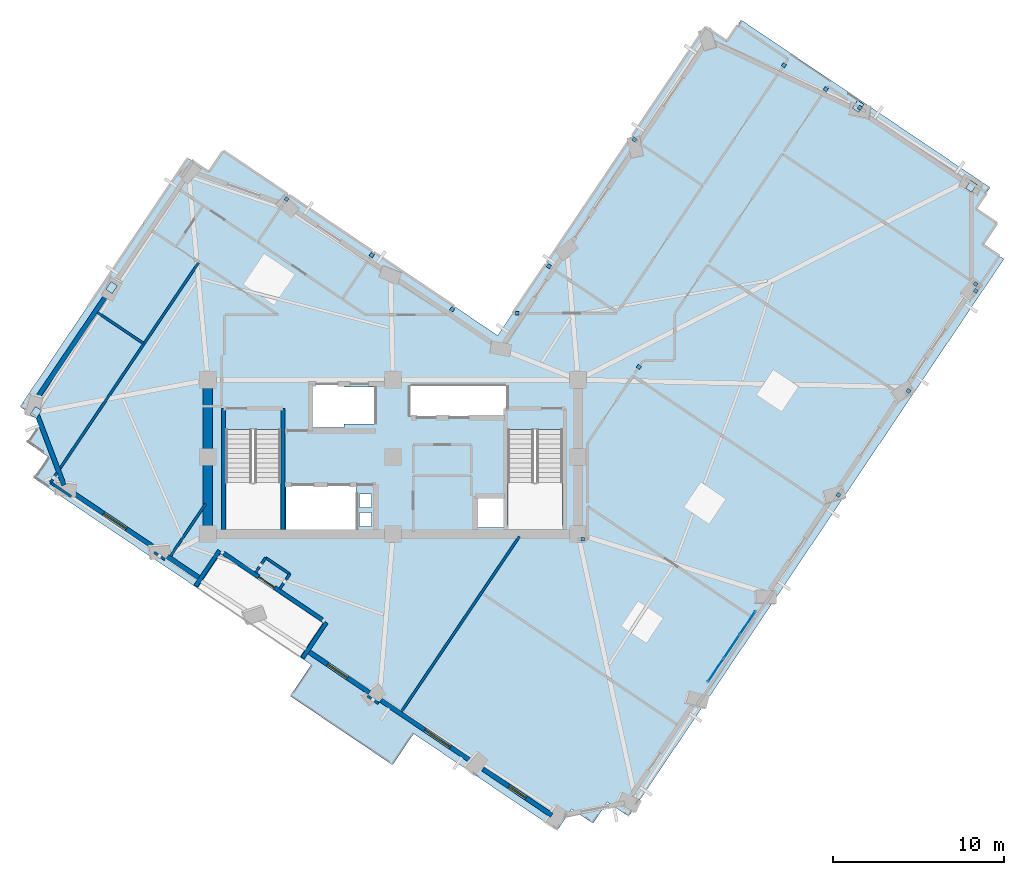
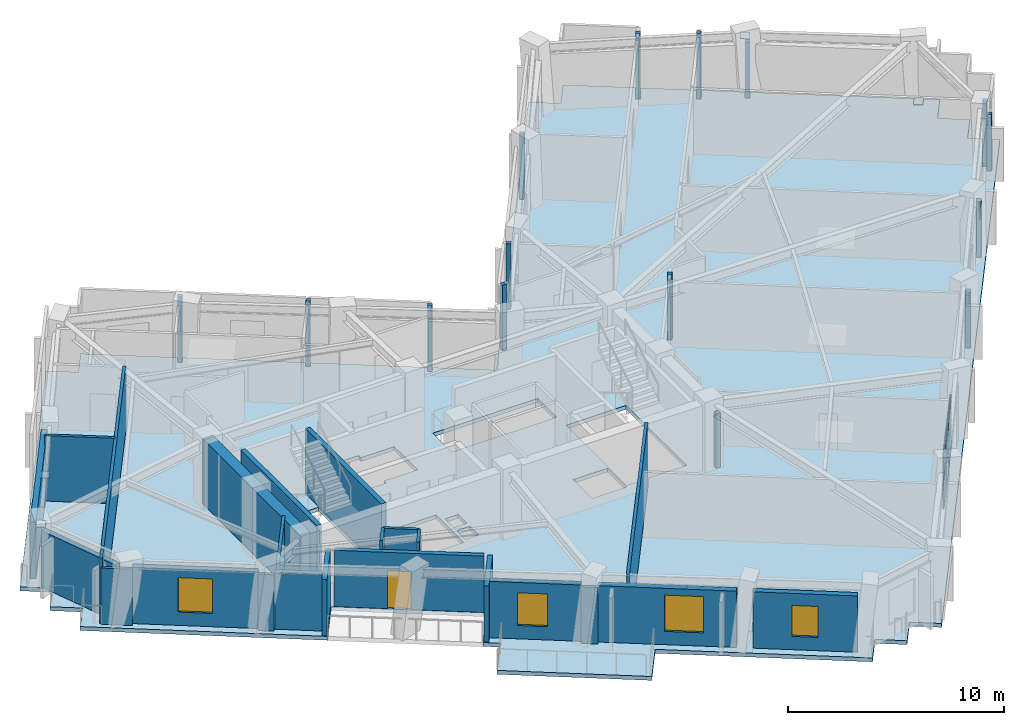
# One storey, part 5 of 14: 25 plates, 24 walls, 4 windows, 1 door, 1 slab, 5 openings, 1 element without a shape of its own.
"""IFC4 building model written with IfcOpenShell, lengths in metres."""

from ifc_helpers import new_model, si_unit, direction, frame, frame_2d, origin, origin_2d, place, context, subcontext, project, spatial, polyline, rectangle, outline, extrude, material, layer, layer_set, type_object, element, fill, aggregate, save


model = new_model("IFC4")

# Units and contexts
model_context = context("Model", 3, precision=1e-05, world=origin(), true_north=direction((0.0, 1.0)))
body_context = subcontext(model_context, "Body", "Model", "MODEL_VIEW")
ifc_project = project(units=[si_unit("LENGTHUNIT", "METRE"), si_unit("AREAUNIT", "SQUARE_METRE"), si_unit("VOLUMEUNIT", "CUBIC_METRE"), si_unit("PLANEANGLEUNIT", "RADIAN"), si_unit("MASSUNIT", "GRAM", prefix="KILO")], contexts=[model_context])

# Site, building, storey
site_placement = place(None, origin())
site = spatial("IfcSite", under=ifc_project, at=site_placement, CompositionType="ELEMENT")
building_placement = place(site_placement, origin())
building = spatial("IfcBuilding", under=site, at=building_placement, Name="Gaonmaruhae Medical Tower", CompositionType="ELEMENT")
storey_placement = place(building_placement, frame((0.0, 0.0, 263.199951171875)))
storey = spatial("IfcBuildingStorey", under=building, at=storey_placement, Name="L63", CompositionType="ELEMENT", Elevation=263.199951171875)

# Curtain wall, plates
ifc_material_1 = material(Name="Anodised aluminium and Low-E double glazing", Category="aluminium")
curtain_wall_type = type_object("IfcCurtainWallType", Name="CW-S3 Spiralling Dayroom Ribbon Curtain Wall", PredefinedType="NOTDEFINED", material=ifc_material_1)
curtain_wall_placement = place(storey_placement, origin())
curtain_wall = element("IfcCurtainWall", 1, at=curtain_wall_placement, inside=storey, type_object=curtain_wall_type, Name="L63 Curtain Wall CW-L63-S02", PredefinedType="NOTDEFINED")
ifc_material_2 = material(Name="Insulated fritted spandrel glass", Category="glass")
ifc_layer_1 = layer(ifc_material_2, 0.0439453125)
ifc_layer_set_1 = layer_set([ifc_layer_1], Name="Insulated fritted spandrel glass")
plate_type_1 = type_object("IfcPlateType", Name="CWP-S1 Insulated Fritted Spandrel Panel", PredefinedType="CURTAIN_PANEL", material=ifc_layer_set_1)
plate_1_placement = place(storey_placement, frame((45.4921875, 2.623046875, 0.06494140625), z_axis=(0.0, 0.0, 1.0), x_axis=(-0.558460714745, -0.829530969938, 0.0)))
plate_1 = element("IfcPlate", 2, at=plate_1_placement, type_object=plate_type_1, Name="CW-S3 panel 1.1", PredefinedType="CURTAIN_PANEL", context=body_context, shape_type="SweptSolid", body=[
    extrude(rectangle(XDim=1.581298828125, YDim=0.0439453125, at=origin_2d()), origin(), (0.0, 0.0, 1.0), 1.4951171875),
])
plate_2_placement = place(storey_placement, frame((45.4921875, 2.623046875, 1.625), z_axis=(0.0, 0.0, 1.0), x_axis=(-0.558460714745, -0.829530969938, 0.0)))
plate_2 = element("IfcPlate", 3, at=plate_2_placement, type_object=plate_type_1, Name="CW-S3 panel 1.2", PredefinedType="CURTAIN_PANEL", context=body_context, shape_type="SweptSolid", body=[
    extrude(rectangle(XDim=1.581298828125, YDim=0.0439453125, at=origin_2d()), origin(), (0.0, 0.0, 1.0), 1.4951171875),
])
plate_3_placement = place(storey_placement, frame((44.563720703125, 1.24365234375, 0.06494140625), z_axis=(0.0, 0.0, 1.0), x_axis=(-0.558460714745, -0.829530969938, 0.0)))
plate_3 = element("IfcPlate", 4, at=plate_3_placement, type_object=plate_type_1, Name="CW-S3 panel 2.1", PredefinedType="CURTAIN_PANEL", context=body_context, shape_type="SweptSolid", body=[
    extrude(rectangle(XDim=1.614013671875, YDim=0.0439453125, at=origin_2d()), origin(), (0.0, 0.0, 1.0), 1.4951171875),
])
plate_4_placement = place(storey_placement, frame((44.563720703125, 1.24365234375, 1.625), z_axis=(0.0, 0.0, 1.0), x_axis=(-0.558460714745, -0.829530969938, 0.0)))
plate_4 = element("IfcPlate", 5, at=plate_4_placement, type_object=plate_type_1, Name="CW-S3 panel 2.2", PredefinedType="CURTAIN_PANEL", context=body_context, shape_type="SweptSolid", body=[
    extrude(rectangle(XDim=1.614013671875, YDim=0.0439453125, at=origin_2d()), origin(), (0.0, 0.0, 1.0), 1.4951171875),
])
plate_5_placement = place(storey_placement, frame((43.635009765625, -0.135498046875, 0.06494140625), z_axis=(0.0, 0.0, 1.0), x_axis=(-0.558460714745, -0.829530969938, 0.0)))
plate_5 = element("IfcPlate", 6, at=plate_5_placement, type_object=plate_type_1, Name="CW-S3 panel 3.1", PredefinedType="CURTAIN_PANEL", context=body_context, shape_type="SweptSolid", body=[
    extrude(rectangle(XDim=1.581298828125, YDim=0.0439453125, at=origin_2d()), origin(), (0.0, 0.0, 1.0), 1.4951171875),
])
plate_6_placement = place(storey_placement, frame((43.635009765625, -0.135498046875, 1.625), z_axis=(0.0, 0.0, 1.0), x_axis=(-0.558460714745, -0.829530969938, 0.0)))
plate_6 = element("IfcPlate", 7, at=plate_6_placement, type_object=plate_type_1, Name="CW-S3 panel 3.2", PredefinedType="CURTAIN_PANEL", context=body_context, shape_type="SweptSolid", body=[
    extrude(rectangle(XDim=1.581298828125, YDim=0.0439453125, at=origin_2d()), origin(), (0.0, 0.0, 1.0), 1.4951171875),
])
aggregate(curtain_wall, [plate_1, plate_2, plate_3, plate_4, plate_5, plate_6])

# Slab
ifc_material_3 = material(Name="Concrete C40/50", Category="concrete")
ifc_layer_2 = layer(ifc_material_3, 0.219970703125)
ifc_layer_set_2 = layer_set([ifc_layer_2], Name="Concrete C40/50")
slab_type = type_object("IfcSlabType", Name="FS-220 Clinical Ward Composite Floor Slab", PredefinedType="FLOOR", material=ifc_layer_set_2)
slab_placement = place(storey_placement, frame((0.0, 0.0, -0.219970703125)))
element("IfcSlab", 8, at=slab_placement, inside=storey, type_object=slab_type, Name="L63 Structural Slab 1", PredefinedType="FLOOR", context=body_context, shape_type="SweptSolid", body=[
    extrude(outline(polyline([(4.698486328125, 12.3115234375), (3.454345703125, 13.1494140625), (4.2919921875, 14.3935546875), (3.0478515625, 15.231201171875), (12.821044921875, 29.747802734375), (14.065185546875, 28.91015625), (14.903076171875, 30.154541015625), (30.912841796875, 19.376220703125), (43.031494140625, 37.376708984375), (44.27587890625, 36.5390625), (45.113525390625, 37.783447265625), (59.63037109375, 28.010009765625), (58.79248046875, 26.765869140625), (60.036865234375, 25.92822265625), (59.19921875, 24.683837890625), (60.443359375, 23.84619140625), (38.551513671875, -8.671142578125), (37.30712890625, -7.83349609375), (36.469482421875, -9.077880859375), (35.22509765625, -8.239990234375), (34.387451171875, -9.484375), (26.00927734375, -3.843994140625), (24.780517578125, -5.668701171875), (18.80810546875, -1.647705078125), (20.03662109375, 0.177001953125), (19.373046875, 0.623779296875), (20.71337890625, 2.61474609375), (14.74072265625, 6.6357421875), (13.400390625, 4.64501953125), (3.86083984375, 11.0673828125), (4.698486328125, 12.3115234375)]), holes=[polyline([(23.550048828125, 8.25), (22.85009765625, 8.25), (22.85009765625, 9.050048828125), (23.550048828125, 9.050048828125), (23.550048828125, 8.25)]), polyline([(31.425048828125, 9.925048828125), (31.425048828125, 8.175048828125), (29.574951171875, 8.175048828125), (29.574951171875, 9.925048828125), (31.425048828125, 9.925048828125)]), polyline([(22.64990234375, 10.625), (22.64990234375, 8.074951171875), (18.550048828125, 8.074951171875), (18.550048828125, 10.625), (22.64990234375, 10.625)]), polyline([(23.550048828125, 9.35009765625), (22.85009765625, 9.35009765625), (22.85009765625, 10.14990234375), (23.550048828125, 10.14990234375), (23.550048828125, 9.35009765625)]), polyline([(15.050048828125, 13.889892578125), (18.25, 13.889892578125), (18.25, 8.300048828125), (15.050048828125, 8.300048828125), (15.050048828125, 13.889892578125)]), polyline([(31.5, 13.889892578125), (34.699951171875, 13.889892578125), (34.699951171875, 8.300048828125), (31.5, 8.300048828125), (31.5, 13.889892578125)]), polyline([(21.949951171875, 14.22509765625), (21.949951171875, 14.02490234375), (19.949951171875, 14.02490234375), (19.949951171875, 16.574951171875), (21.949951171875, 16.574951171875), (21.949951171875, 16.375), (23.72509765625, 16.375), (23.72509765625, 14.22509765625), (21.949951171875, 14.22509765625)]), polyline([(31.425048828125, 16.425048828125), (31.425048828125, 14.675048828125), (25.824951171875, 14.675048828125), (25.824951171875, 16.425048828125), (31.425048828125, 16.425048828125)])]), origin(), (0.0, 0.0, 1.0), 0.219970703125),
])

# Plates
ifc_material_4 = material(Name="Steel HSA650 (650 MPa)", Category="steel")
ifc_layer_3 = layer(ifc_material_4, 0.028076171875)
ifc_layer_set_3 = layer_set([ifc_layer_3], Name="Steel HSA650 (650 MPa)")
plate_type_2 = type_object("IfcPlateType", Name="GP-02 Tube Brace End Cap Gusset Plate", PredefinedType="USERDEFINED", material=ifc_layer_set_3)
for number, where, z_axis, x_axis, name in (
    (9, (58.53515625, 28.08447265625, 0.23583984375), (0.0, 0.0, 1.0), (0.558469218875, 0.829525244685, 0.0), "L63 Gusset Cap Plate PLT-L63-PBR-E01A"),
    (10, (51.935546875, 32.74560546875, 3.43603515625), (0.0, 0.0, 1.0), (0.544639035015, 0.838670567945, 0.0), "L63 Gusset Cap Plate PLT-L63-PBR-E01B"),
    (11, (8.390625, 22.182373046875, 0.23583984375), (0.0, 0.0, 1.0), (0.558469218875, 0.829525244685, 0.0), "L63 Gusset Cap Plate PLT-L63-PBR-N02A"),
    (12, (3.971435546875, 14.8876953125, 3.43603515625), (0.0, 0.0, 1.0), (0.544639035015, 0.838670567945, 0.0), "L63 Gusset Cap Plate PLT-L63-PBR-N02B"),
):
    element("IfcPlate", number, at=place(storey_placement, frame(where, z_axis=z_axis, x_axis=x_axis)), inside=storey, type_object=plate_type_2, Name=name, ObjectType="GUSSET_PLATE", PredefinedType="USERDEFINED", context=body_context, shape_type="SweptSolid", body=[
        extrude(rectangle(XDim=0.56005859375, YDim=0.43994140625, at=origin_2d()), origin(), (0.0, 0.0, 1.0), 0.028076171875),
    ])
ifc_material_5 = material(Name="Anodised aluminium 6063-T6", Category="aluminium")
ifc_layer_4 = layer(ifc_material_5, 0.011962890625)
ifc_layer_set_4 = layer_set([ifc_layer_4], Name="Anodised aluminium 6063-T6")
plate_type_3 = type_object("IfcPlateType", Name="PP-01 Interior Partition Corner Stiffener Plate", PredefinedType="SHEET", material=ifc_layer_set_4)
plate_7_placement = place(storey_placement, frame((35.875, 7.5, 0.0), z_axis=(0.0, 0.0, 1.0), x_axis=(1.0, 0.0, 0.0)))
element("IfcPlate", 13, at=plate_7_placement, inside=storey, type_object=plate_type_3, Name="L63 Partition Corner Stiffener Plate PLT-L63-JGP-PW011", PredefinedType="SHEET", context=body_context, shape_type="SweptSolid", body=[
    extrude(rectangle(XDim=0.219970703125, YDim=0.219970703125, at=origin_2d()), origin(), (0.0, 0.0, 1.0), 3.0849609375),
])
plate_8_placement = place(storey_placement, frame((50.78759765625, 10.075927734375, 0.0), z_axis=(0.0, 0.0, 1.0), x_axis=(-0.558483696736, -0.829515497432, 0.0)))
element("IfcPlate", 14, at=plate_8_placement, inside=storey, type_object=plate_type_3, Name="L63 Partition Corner Stiffener Plate PLT-L63-JGP-PW020", PredefinedType="SHEET", context=body_context, shape_type="SweptSolid", body=[
    extrude(rectangle(XDim=0.219970703125, YDim=0.219970703125, at=origin_2d()), origin(), (0.0, 0.0, 1.0), 3.18505859375),
])
for number, where, z_axis, x_axis, name in (
    (15, (39.1435546875, 17.544921875, 0.0), (0.0, 0.0, 1.0), (0.558527129301, 0.829486254157, 0.0), "L63 Partition Corner Stiffener Plate PLT-L63-JGP-PW021"),
    (16, (58.7958984375, 22.382080078125, 0.0), (0.0, 0.0, 1.0), (0.829349755473, -0.558729794352, 0.0), "L63 Partition Corner Stiffener Plate PLT-L63-JGP-PW025"),
):
    element("IfcPlate", number, at=place(storey_placement, frame(where, z_axis=z_axis, x_axis=x_axis)), inside=storey, type_object=plate_type_3, Name=name, PredefinedType="SHEET", context=body_context, shape_type="SweptSolid", body=[
        extrude(rectangle(XDim=0.219970703125, YDim=0.219970703125, at=origin_2d()), origin(), (0.0, 0.0, 1.0), 3.699951171875),
    ])
for number, where, z_axis, x_axis, name in (
    (17, (58.799560546875, 21.9775390625, 0.0), (0.0, 0.0, 1.0), (-0.559192903471, -0.829037572555, 0.0), "L63 Partition Corner Stiffener Plate PLT-L63-JGP-PW026"),
    (18, (54.8740234375, 16.14599609375, 0.0), (0.0, 0.0, 1.0), (-0.558860061414, -0.829261980171, 0.0), "L63 Partition Corner Stiffener Plate PLT-L63-JGP-PW027"),
):
    element("IfcPlate", number, at=place(storey_placement, frame(where, z_axis=z_axis, x_axis=x_axis)), inside=storey, type_object=plate_type_3, Name=name, PredefinedType="SHEET", context=body_context, shape_type="SweptSolid", body=[
        extrude(rectangle(XDim=0.219970703125, YDim=0.219970703125, at=origin_2d()), origin(), (0.0, 0.0, 1.0), 3.18505859375),
    ])
plate_9_placement = place(storey_placement, frame((50.050537109375, 33.74560546875, 0.0), z_axis=(0.0, 0.0, 1.0), x_axis=(0.557411875765, 0.830236111451, 0.0)))
element("IfcPlate", 19, at=plate_9_placement, inside=storey, type_object=plate_type_3, Name="L63 Partition Corner Stiffener Plate PLT-L63-JGP-PW032", PredefinedType="SHEET", context=body_context, shape_type="SweptSolid", body=[
    extrude(rectangle(XDim=0.219970703125, YDim=0.219970703125, at=origin_2d()), origin(), (0.0, 0.0, 1.0), 3.699951171875),
])
plate_10_placement = place(storey_placement, frame((52.0400390625, 32.66259765625, 0.0), z_axis=(0.0, 0.0, 1.0), x_axis=(0.829496002168, -0.558512651949, 0.0)))
element("IfcPlate", 20, at=plate_10_placement, inside=storey, type_object=plate_type_3, Name="L63 Partition Corner Stiffener Plate PLT-L63-JGP-PW034", PredefinedType="SHEET", context=body_context, shape_type="SweptSolid", body=[
    extrude(rectangle(XDim=0.219970703125, YDim=0.219970703125, at=origin_2d()), origin(), (0.0, 0.0, 1.0), 3.18505859375),
])
for number, where, z_axis, x_axis, name in (
    (21, (33.8994140625, 23.422607421875, 0.0), (0.0, 0.0, 1.0), (0.82956423117, -0.558411305727, 0.0), "L63 Partition Corner Stiffener Plate PLT-L63-JGP-PW054"),
    (22, (32.052978515625, 20.679931640625, 0.0), (0.0, 0.0, 1.0), (-1.0, 0.0, 0.0), "L63 Partition Corner Stiffener Plate PLT-L63-JGP-PW057"),
    (23, (38.884033203125, 30.804443359375, 0.0), (0.0, 0.0, 1.0), (0.829700652026, -0.558208588278, 0.0), "L63 Partition Corner Stiffener Plate PLT-L63-JGP-PW061"),
    (24, (47.603515625, 35.14306640625, 0.0), (0.0, 0.0, 1.0), (-0.558107217055, -0.829768843878, 0.0), "L63 Partition Corner Stiffener Plate PLT-L63-JGP-PW065"),
    (25, (23.5615234375, 24.0625, 0.0), (0.0, 0.0, 1.0), (0.558411305727, 0.82956423117, 0.0), "L63 Partition Corner Stiffener Plate PLT-L63-JGP-PW072"),
    (26, (28.25244140625, 20.904541015625, 0.0), (0.0, 0.0, 1.0), (-0.558411305727, -0.82956423117, 0.0), "L63 Partition Corner Stiffener Plate PLT-L63-JGP-PW074"),
    (27, (18.593994140625, 27.3369140625, 0.0), (0.0, 0.0, 1.0), (0.558034803938, 0.829817544761, 0.0), "L63 Partition Corner Stiffener Plate PLT-L63-JGP-PW077"),
):
    element("IfcPlate", number, at=place(storey_placement, frame(where, z_axis=z_axis, x_axis=x_axis)), inside=storey, type_object=plate_type_3, Name=name, PredefinedType="SHEET", context=body_context, shape_type="SweptSolid", body=[
        extrude(rectangle(XDim=0.219970703125, YDim=0.219970703125, at=origin_2d()), origin(), (0.0, 0.0, 1.0), 3.699951171875),
    ])

# Wall
ifc_material_6 = material(Name="Concrete C50/60", Category="concrete")
ifc_layer_5 = layer(ifc_material_6, 0.550048828125)
ifc_layer_set_5 = layer_set([ifc_layer_5], Name="Concrete C50/60")
wall_type_1 = type_object("IfcWallType", Name="CW-550 Mid-High Core Shear Wall", PredefinedType="SHEAR", material=ifc_layer_set_5)
wall_1_placement = place(storey_placement, frame((14.0, 16.800048828125, 0.0), z_axis=(0.0, 0.0, 1.0), x_axis=(0.0, -1.0, 0.0)))
element("IfcWall", 28, at=wall_1_placement, inside=storey, type_object=wall_type_1, Name="L63 Core Shear Wall CSW-W1", PredefinedType="SHEAR", context=body_context, shape_type="SweptSolid", body=[
    extrude(rectangle(XDim=9.0, YDim=0.550048828125, at=frame_2d((4.5, 0.0))), origin(), (0.0, 0.0, 1.0), 3.699951171875),
])

# Wall, opening, door
ifc_material_7 = material(Name="Precast concrete C45/55", Category="concrete")
ifc_layer_6 = layer(ifc_material_7, 0.239990234375)
ifc_layer_set_6 = layer_set([ifc_layer_6], Name="Precast concrete C45/55")
wall_type_2 = type_object("IfcWallType", Name="EW-240 Ribbon & Shelter Insulated Precast Wall", PredefinedType="SOLIDWALL", material=ifc_layer_set_6)
wall_2_placement = place(storey_placement, frame((20.69189453125, 2.7978515625, 0.0), z_axis=(0.0, 0.0, 1.0), x_axis=(-0.829521496476, 0.558474786257, 0.0)))
wall_2 = element("IfcWall", 29, at=wall_2_placement, inside=storey, type_object=wall_type_2, Name="L63 Recessed Terrace Enclosure Wall TERB", PredefinedType="SOLIDWALL", context=body_context, shape_type="SweptSolid", body=[
    extrude(rectangle(XDim=6.9599609375, YDim=0.239990234375, at=frame_2d((3.47998046875, 0.0))), origin(), (0.0, 0.0, 1.0), 3.18505859375),
])
opening_1_placement = place(wall_2_placement, frame((3.374755859375, 0.0, 0.0)))
opening_1 = element("IfcOpeningElement", 30, at=opening_1_placement, cuts=wall_2, Name="Opening TD-01", PredefinedType="OPENING", context=body_context, shape_type="SweptSolid", body=[
    extrude(rectangle(XDim=1.10009765625, YDim=2.14990234375, at=frame_2d((0.550048828125, 1.074951171875))), frame((0.0, 0.1298828125, 0.0), z_axis=(0.0, -1.0, 0.0), x_axis=(1.0, 0.0, 0.0)), (0.0, 0.0, 1.0), 0.260009765625),
])
ifc_material_8 = material(Name="Anodised aluminium and toughened safety glass", Category="aluminium")
door_type = type_object("IfcDoorType", Name="TD-01 Terrace & Sky Garden Glazed Door 1100x2150", OperationType="NOTDEFINED", PredefinedType="DOOR", material=ifc_material_8)
door_placement = place(opening_1_placement, origin())
door = element("IfcDoor", 31, at=door_placement, inside=storey, type_object=door_type, Name="L63 Outdoor Terrace Access Door SLB-L63-TER", OperationType="SINGLE_SWING_LEFT", OverallHeight=2.14990234375, OverallWidth=1.10009765625, PredefinedType="DOOR", context=body_context, shape_type="SweptSolid", body=[
    extrude(rectangle(XDim=1.10009765625, YDim=2.14990234375, at=frame_2d((0.550048828125, 1.074951171875))), frame((0.0, 0.02490234375, 0.0), z_axis=(0.0, -1.0, 0.0), x_axis=(1.0, 0.0, 0.0)), (0.0, 0.0, 1.0), 0.050048828125),
])
fill(opening_1, door)

# Walls
for number, where, z_axis, x_axis, name in (
    (32, (19.528076171875, 0.567626953125, 0.0), (0.0, 0.0, 1.0), (0.558457786092, 0.829532941572, 0.0), "L63 Recessed Terrace Enclosure Wall TERL"),
    (33, (14.686279296875, 6.84130859375, 0.0), (0.0, 0.0, 1.0), (-0.558457786092, -0.829532941572, 0.0), "L63 Recessed Terrace Enclosure Wall TERR"),
):
    element("IfcWall", number, at=place(storey_placement, frame(where, z_axis=z_axis, x_axis=x_axis)), inside=storey, type_object=wall_type_2, Name=name, PredefinedType="SOLIDWALL", context=body_context, shape_type="SweptSolid", body=[
        extrude(rectangle(XDim=2.500244140625, YDim=0.239990234375, at=frame_2d((1.25, 0.0))), origin(), (0.0, 0.0, 1.0), 3.18505859375),
    ])
ifc_layer_7 = layer(ifc_material_7, 0.280029296875)
ifc_layer_set_7 = layer_set([ifc_layer_7], Name="Precast concrete C45/55")
wall_type_3 = type_object("IfcWallType", Name="EW-280 Upper Precast Masonry-Frame Facade Wall", PredefinedType="SOLIDWALL", material=ifc_layer_set_7)
wall_3_placement = place(storey_placement, frame((3.91259765625, 15.531005859375, 0.0), z_axis=(0.0, 0.0, 1.0), x_axis=(0.558465728622, 0.82952759445, 0.0)))
element("IfcWall", 34, at=wall_3_placement, inside=storey, type_object=wall_type_3, Name="L63 Precast Masonry-Frame Wall N02-N03", PredefinedType="SOLIDWALL", context=body_context, shape_type="SweptSolid", body=[
    extrude(rectangle(XDim=7.484619140625, YDim=0.280029296875, at=frame_2d((3.7421875, 0.0))), origin(), (0.0, 0.0, 1.0), 3.18505859375),
])
wall_4_placement = place(storey_placement, frame((5.612060546875, 10.647216796875, 0.0), z_axis=(0.0, 0.0, 1.0), x_axis=(-0.355629099144, 0.934627168363, 0.0)))
element("IfcWall", 35, at=wall_4_placement, inside=storey, type_object=wall_type_3, Name="L63 Precast Masonry-Frame Wall N03-W01", PredefinedType="SOLIDWALL", context=body_context, shape_type="SweptSolid", body=[
    extrude(rectangle(XDim=4.407958984375, YDim=0.280029296875, at=frame_2d((2.2041015625, 0.0))), origin(), (0.0, 0.0, 1.0), 3.18505859375),
])

# Wall, opening, window
wall_5_placement = place(storey_placement, frame((11.00048828125, 6.923583984375, 0.0), z_axis=(0.0, 0.0, 1.0), x_axis=(-0.829509776045, 0.558492194614, 0.0)))
wall_5 = element("IfcWall", 36, at=wall_5_placement, inside=storey, type_object=wall_type_3, Name="L63 Precast Masonry-Frame Wall W01-W02", PredefinedType="SOLIDWALL", context=body_context, shape_type="SweptSolid", body=[
    extrude(rectangle(XDim=5.830078125, YDim=0.280029296875, at=frame_2d((2.9150390625, 0.0))), origin(), (0.0, 0.0, 1.0), 3.18505859375),
])
opening_2_placement = place(wall_5_placement, frame((2.111328125, 0.0, 0.75)))
opening_2 = element("IfcOpeningElement", 37, at=opening_2_placement, cuts=wall_5, Name="Opening WN-01", PredefinedType="OPENING", context=body_context, shape_type="SweptSolid", body=[
    extrude(rectangle(XDim=1.60009765625, YDim=1.949951171875, at=frame_2d((0.800048828125, 0.97509765625))), frame((0.0, 0.14990234375, 0.0), z_axis=(0.0, -1.0, 0.0), x_axis=(1.0, 0.0, 0.0)), (0.0, 0.0, 1.0), 0.300048828125),
])
window_type_1 = type_object("IfcWindowType", Name="WN-01 Ward Punched Acoustic Window 1600x1950", PartitioningType="SINGLE_PANEL", PredefinedType="WINDOW", material=ifc_material_1)
window_1_placement = place(opening_2_placement, origin())
window_1 = element("IfcWindow", 38, at=window_1_placement, inside=storey, type_object=window_type_1, Name="L63 Modular Facade Window W01", OverallHeight=1.949951171875, OverallWidth=1.60009765625, PartitioningType="SINGLE_PANEL", PredefinedType="WINDOW", context=body_context, shape_type="SweptSolid", body=[
    extrude(rectangle(XDim=1.60009765625, YDim=1.949951171875, at=frame_2d((0.800048828125, 0.97509765625))), frame((0.0, 0.030029296875, 0.0), z_axis=(0.0, -1.0, 0.0), x_axis=(1.0, 0.0, 0.0)), (0.0, 0.0, 1.0), 0.06005859375),
])
fill(opening_2, window_1)

# Wall
wall_6_placement = place(storey_placement, frame((13.558349609375, 5.20166015625, 0.0), z_axis=(0.0, 0.0, 1.0), x_axis=(-0.829527234848, 0.558466262765, 0.0)))
element("IfcWall", 39, at=wall_6_placement, inside=storey, type_object=wall_type_3, Name="L63 Precast Masonry-Frame Wall W02-W03", PredefinedType="SOLIDWALL", context=body_context, shape_type="SweptSolid", body=[
    extrude(rectangle(XDim=2.30029296875, YDim=0.280029296875, at=frame_2d((1.150146484375, 0.0))), origin(), (0.0, 0.0, 1.0), 3.18505859375),
])

# Wall, opening, window
wall_7_placement = place(storey_placement, frame((23.44091796875, -1.45166015625, 0.0), z_axis=(0.0, 0.0, 1.0), x_axis=(-0.829539785841, 0.558447619484, 0.0)))
wall_7 = element("IfcWall", 40, at=wall_7_placement, inside=storey, type_object=wall_type_3, Name="L63 Precast Masonry-Frame Wall W03-W04", PredefinedType="SOLIDWALL", context=body_context, shape_type="SweptSolid", body=[
    extrude(rectangle(XDim=4.353515625, YDim=0.280029296875, at=frame_2d((2.1767578125, 0.0))), origin(), (0.0, 0.0, 1.0), 3.18505859375),
])
opening_3_placement = place(wall_7_placement, frame((1.552734375, 0.0, 0.75)))
opening_3 = element("IfcOpeningElement", 41, at=opening_3_placement, cuts=wall_7, Name="Opening WN-03", PredefinedType="OPENING", context=body_context, shape_type="SweptSolid", body=[
    extrude(rectangle(XDim=1.39990234375, YDim=1.85009765625, at=frame_2d((0.699951171875, 0.925048828125))), frame((0.0, 0.14990234375, 0.0), z_axis=(0.0, -1.0, 0.0), x_axis=(1.0, 0.0, 0.0)), (0.0, 0.0, 1.0), 0.300048828125),
])
window_type_2 = type_object("IfcWindowType", Name="WN-03 Isolation Ward Punched Window 1400x1850", PartitioningType="SINGLE_PANEL", PredefinedType="WINDOW", material=ifc_material_1)
window_2_placement = place(opening_3_placement, origin())
window_2 = element("IfcWindow", 42, at=window_2_placement, inside=storey, type_object=window_type_2, Name="L63 Modular Facade Window W03", OverallHeight=1.85009765625, OverallWidth=1.39990234375, PartitioningType="SINGLE_PANEL", PredefinedType="WINDOW", context=body_context, shape_type="SweptSolid", body=[
    extrude(rectangle(XDim=1.39990234375, YDim=1.85009765625, at=frame_2d((0.699951171875, 0.925048828125))), frame((0.0, 0.030029296875, 0.0), z_axis=(0.0, -1.0, 0.0), x_axis=(1.0, 0.0, 0.0)), (0.0, 0.0, 1.0), 0.06005859375),
])
fill(opening_3, window_2)

wall_8_placement = place(storey_placement, frame((29.423828125, -5.4794921875, 0.0), z_axis=(0.0, 0.0, 1.0), x_axis=(-0.82953392377, 0.558456327133, 0.0)))
wall_8 = element("IfcWall", 43, at=wall_8_placement, inside=storey, type_object=wall_type_3, Name="L63 Precast Masonry-Frame Wall W04-W05", PredefinedType="SOLIDWALL", context=body_context, shape_type="SweptSolid", body=[
    extrude(rectangle(XDim=6.425048828125, YDim=0.280029296875, at=frame_2d((3.21240234375, 0.0))), origin(), (0.0, 0.0, 1.0), 3.18505859375),
])
opening_4_placement = place(wall_8_placement, frame((1.527587890625, 0.0, 0.75)))
opening_4 = element("IfcOpeningElement", 44, at=opening_4_placement, cuts=wall_8, Name="Opening WN-04", PredefinedType="OPENING", context=body_context, shape_type="SweptSolid", body=[
    extrude(rectangle(XDim=1.800048828125, YDim=2.050048828125, at=frame_2d((0.89990234375, 1.02490234375))), frame((0.0, 0.14990234375, 0.0), z_axis=(0.0, -1.0, 0.0), x_axis=(1.0, 0.0, 0.0)), (0.0, 0.0, 1.0), 0.300048828125),
])
window_type_3 = type_object("IfcWindowType", Name="WN-04 Clinic & Consult Punched Window 1800x2050", PartitioningType="SINGLE_PANEL", PredefinedType="WINDOW", material=ifc_material_1)
window_3_placement = place(opening_4_placement, origin())
window_3 = element("IfcWindow", 45, at=window_3_placement, inside=storey, type_object=window_type_3, Name="L63 Modular Facade Window W04", OverallHeight=2.050048828125, OverallWidth=1.800048828125, PartitioningType="SINGLE_PANEL", PredefinedType="WINDOW", context=body_context, shape_type="SweptSolid", body=[
    extrude(rectangle(XDim=1.800048828125, YDim=2.050048828125, at=frame_2d((0.89990234375, 1.02490234375))), frame((0.0, 0.030029296875, 0.0), z_axis=(0.0, -1.0, 0.0), x_axis=(1.0, 0.0, 0.0)), (0.0, 0.0, 1.0), 0.06005859375),
])
fill(opening_4, window_3)

wall_9_placement = place(storey_placement, frame((34.0830078125, -8.616455078125, 0.0), z_axis=(0.0, 0.0, 1.0), x_axis=(-0.829512040944, 0.558488830622, 0.0)))
wall_9 = element("IfcWall", 46, at=wall_9_placement, inside=storey, type_object=wall_type_3, Name="L63 Precast Masonry-Frame Wall W05-W06", PredefinedType="SOLIDWALL", context=body_context, shape_type="SweptSolid", body=[
    extrude(rectangle(XDim=4.85546875, YDim=0.280029296875, at=frame_2d((2.427734375, 0.0))), origin(), (0.0, 0.0, 1.0), 3.18505859375),
])
opening_5_placement = place(wall_9_placement, frame((1.83251953125, 0.0, 0.75)))
opening_5 = element("IfcOpeningElement", 47, at=opening_5_placement, cuts=wall_9, Name="Opening WN-05", PredefinedType="OPENING", context=body_context, shape_type="SweptSolid", body=[
    extrude(rectangle(XDim=1.199951171875, YDim=1.75, at=frame_2d((0.60009765625, 0.875))), frame((0.0, 0.14990234375, 0.0), z_axis=(0.0, -1.0, 0.0), x_axis=(1.0, 0.0, 0.0)), (0.0, 0.0, 1.0), 0.300048828125),
])
window_type_4 = type_object("IfcWindowType", Name="WN-05 Support & Staff Punched Window 1200x1750", PartitioningType="SINGLE_PANEL", PredefinedType="WINDOW", material=ifc_material_1)
window_4_placement = place(opening_5_placement, origin())
window_4 = element("IfcWindow", 48, at=window_4_placement, inside=storey, type_object=window_type_4, Name="L63 Modular Facade Window W05", OverallHeight=1.75, OverallWidth=1.199951171875, PartitioningType="SINGLE_PANEL", PredefinedType="WINDOW", context=body_context, shape_type="SweptSolid", body=[
    extrude(rectangle(XDim=1.199951171875, YDim=1.75, at=frame_2d((0.60009765625, 0.875))), frame((0.0, 0.030029296875, 0.0), z_axis=(0.0, -1.0, 0.0), x_axis=(1.0, 0.0, 0.0)), (0.0, 0.0, 1.0), 0.06005859375),
])
fill(opening_5, window_4)

# Walls
ifc_material_9 = material(Name="Gypsum board partition", Category="gypsum")
ifc_layer_8 = layer(ifc_material_9, 0.14990234375)
ifc_layer_set_8 = layer_set([ifc_layer_8], Name="Gypsum board partition")
wall_type_4 = type_object("IfcWallType", Name="PW-150 Rated Clinical Corridor Partition", PredefinedType="PARTITIONING", material=ifc_layer_set_8)
wall_10_placement = place(storey_placement, frame((23.965087890625, -2.08203125, 0.0), z_axis=(0.0, 0.0, 1.0), x_axis=(-0.829944112371, 0.557846547306, 0.0)))
element("IfcWall", 49, at=wall_10_placement, inside=storey, type_object=wall_type_4, Name="L63 Interior Partition L63-WOF07-38", PredefinedType="PARTITIONING", context=body_context, shape_type="SweptSolid", body=[
    extrude(rectangle(XDim=0.786865234375, YDim=0.14990234375, at=frame_2d((0.3935546875, 0.0))), origin(), (0.0, 0.0, 1.0), 3.18505859375),
])
wall_11_placement = place(storey_placement, frame((32.179931640625, 7.6669921875, 0.0), z_axis=(0.0, 0.0, 1.0), x_axis=(-0.558473326286, -0.829522479398, 0.0)))
element("IfcWall", 50, at=wall_11_placement, inside=storey, type_object=wall_type_4, Name="L63 Interior Partition L63-WOF07-40", PredefinedType="PARTITIONING", context=body_context, shape_type="SweptSolid", body=[
    extrude(rectangle(XDim=12.330078125, YDim=0.14990234375, at=frame_2d((6.1650390625, 0.0))), origin(), (0.0, 0.0, 1.0), 3.699951171875),
])
wall_12_placement = place(storey_placement, frame((18.194091796875, 4.593994140625, 0.0), z_axis=(0.0, 0.0, 1.0), x_axis=(0.55896413663, 0.829191831822, 0.0)))
element("IfcWall", 51, at=wall_12_placement, inside=storey, type_object=wall_type_4, Name="L63 Interior Partition L63-WOF08-41", PredefinedType="PARTITIONING", context=body_context, shape_type="SweptSolid", body=[
    extrude(rectangle(XDim=1.05517578125, YDim=0.14990234375, at=frame_2d((0.527587890625, 0.0))), origin(), (0.0, 0.0, 1.0), 3.699951171875),
])
wall_13_placement = place(storey_placement, frame((18.783935546875, 5.468994140625, 0.0), z_axis=(0.0, 0.0, 1.0), x_axis=(-0.82976805144, 0.558108395215, 0.0)))
element("IfcWall", 52, at=wall_13_placement, inside=storey, type_object=wall_type_4, Name="L63 Interior Partition L63-WOF08-42", PredefinedType="PARTITIONING", context=body_context, shape_type="SweptSolid", body=[
    extrude(rectangle(XDim=1.700439453125, YDim=0.14990234375, at=frame_2d((0.85009765625, 0.0))), origin(), (0.0, 0.0, 1.0), 3.699951171875),
])
wall_14_placement = place(storey_placement, frame((17.373046875, 6.41796875, 0.0), z_axis=(0.0, 0.0, 1.0), x_axis=(-0.558486639219, -0.829513516354, 0.0)))
element("IfcWall", 53, at=wall_14_placement, inside=storey, type_object=wall_type_4, Name="L63 Interior Partition L63-WOF08-43", PredefinedType="PARTITIONING", context=body_context, shape_type="SweptSolid", body=[
    extrude(rectangle(XDim=1.054931640625, YDim=0.14990234375, at=frame_2d((0.52734375, 0.0))), origin(), (0.0, 0.0, 1.0), 3.699951171875),
])
wall_15_placement = place(storey_placement, frame((11.822021484375, 6.509033203125, 0.0), z_axis=(0.0, 0.0, 1.0), x_axis=(0.558510854354, 0.829497212514, 0.0)))
element("IfcWall", 54, at=wall_15_placement, inside=storey, type_object=wall_type_4, Name="L63 Interior Partition L63-WOF08-44", PredefinedType="PARTITIONING", context=body_context, shape_type="SweptSolid", body=[
    extrude(rectangle(XDim=3.67578125, YDim=0.14990234375, at=frame_2d((1.837890625, 0.0))), origin(), (0.0, 0.0, 1.0), 3.699951171875),
])
wall_16_placement = place(storey_placement, frame((11.4970703125, 6.31201171875, 0.0), z_axis=(0.0, 0.0, 1.0), x_axis=(-0.829449181483, 0.558582183155, 0.0)))
element("IfcWall", 55, at=wall_16_placement, inside=storey, type_object=wall_type_4, Name="L63 Interior Partition L63-WOF09-48", PredefinedType="PARTITIONING", context=body_context, shape_type="SweptSolid", body=[
    extrude(rectangle(XDim=0.75341796875, YDim=0.14990234375, at=frame_2d((0.376708984375, 0.0))), origin(), (0.0, 0.0, 1.0), 3.18505859375),
])
wall_17_placement = place(storey_placement, frame((6.035888671875, 9.989013671875, 0.0), z_axis=(0.0, 0.0, 1.0), x_axis=(-0.829617618431, 0.558331986535, 0.0)))
element("IfcWall", 56, at=wall_17_placement, inside=storey, type_object=wall_type_4, Name="L63 Interior Partition L63-WOF09-49", PredefinedType="PARTITIONING", context=body_context, shape_type="SweptSolid", body=[
    extrude(rectangle(XDim=1.4560546875, YDim=0.14990234375, at=frame_2d((0.72802734375, 0.0))), origin(), (0.0, 0.0, 1.0), 3.18505859375),
])
wall_18_placement = place(storey_placement, frame((4.827880859375, 10.802001953125, 0.0), z_axis=(0.0, 0.0, 1.0), x_axis=(0.558371682465, 0.829590901723, 0.0)))
element("IfcWall", 57, at=wall_18_placement, inside=storey, type_object=wall_type_4, Name="L63 Interior Partition L63-WOF09-50", PredefinedType="PARTITIONING", context=body_context, shape_type="SweptSolid", body=[
    extrude(rectangle(XDim=0.689453125, YDim=0.14990234375, at=frame_2d((0.3447265625, 0.0))), origin(), (0.0, 0.0, 1.0), 3.699951171875),
])
wall_19_placement = place(storey_placement, frame((5.3701171875, 11.60693359375, 0.0), z_axis=(0.0, 0.0, 1.0), x_axis=(0.55844028066, 0.829544726303, 0.0)))
element("IfcWall", 58, at=wall_19_placement, inside=storey, type_object=wall_type_4, Name="L63 Interior Partition L63-WOF09-51", PredefinedType="PARTITIONING", context=body_context, shape_type="SweptSolid", body=[
    extrude(rectangle(XDim=14.56005859375, YDim=0.14990234375, at=frame_2d((7.280029296875, 0.0))), origin(), (0.0, 0.0, 1.0), 3.699951171875),
])
wall_20_placement = place(storey_placement, frame((10.261962890625, 18.909912109375, 0.0), z_axis=(0.0, 0.0, 1.0), x_axis=(-0.829545107269, 0.558439714747, 0.0)))
element("IfcWall", 59, at=wall_20_placement, inside=storey, type_object=wall_type_4, Name="L63 Interior Partition L63-RM02-86", PredefinedType="PARTITIONING", context=body_context, shape_type="SweptSolid", body=[
    extrude(rectangle(XDim=3.264404296875, YDim=0.14990234375, at=frame_2d((1.63232421875, 0.0))), origin(), (0.0, 0.0, 1.0), 3.699951171875),
])
ifc_layer_9 = layer(ifc_material_6, 0.239990234375)
ifc_layer_set_9 = layer_set([ifc_layer_9], Name="Concrete C50/60")
wall_type_5 = type_object("IfcWallType", Name="SW-240 Dogleg Stair Tight Shaft Wall", PredefinedType="SOLIDWALL", material=ifc_layer_set_9)
for number, where, z_axis, x_axis, name in (
    (60, (18.3798828125, 15.1201171875, 0.0), (0.0, 0.0, 1.0), (0.0, -1.0, 0.0), "L63 ST-01 Stair Shaft Wall SHW-ST-01-E"),
    (61, (14.919921875, 8.074951171875, 0.0), (0.0, 0.0, 1.0), (0.0, 1.0, 0.0), "L63 ST-01 Stair Shaft Wall SHW-ST-01-W"),
):
    element("IfcWall", number, at=place(storey_placement, frame(where, z_axis=z_axis, x_axis=x_axis)), inside=storey, type_object=wall_type_5, Name=name, PredefinedType="SOLIDWALL", context=body_context, shape_type="SweptSolid", body=[
        extrude(rectangle(XDim=7.045166015625, YDim=0.239990234375, at=frame_2d((3.5224609375, 0.0))), origin(), (0.0, 0.0, 1.0), 3.699951171875),
    ])

save(model, "model.ifc")
